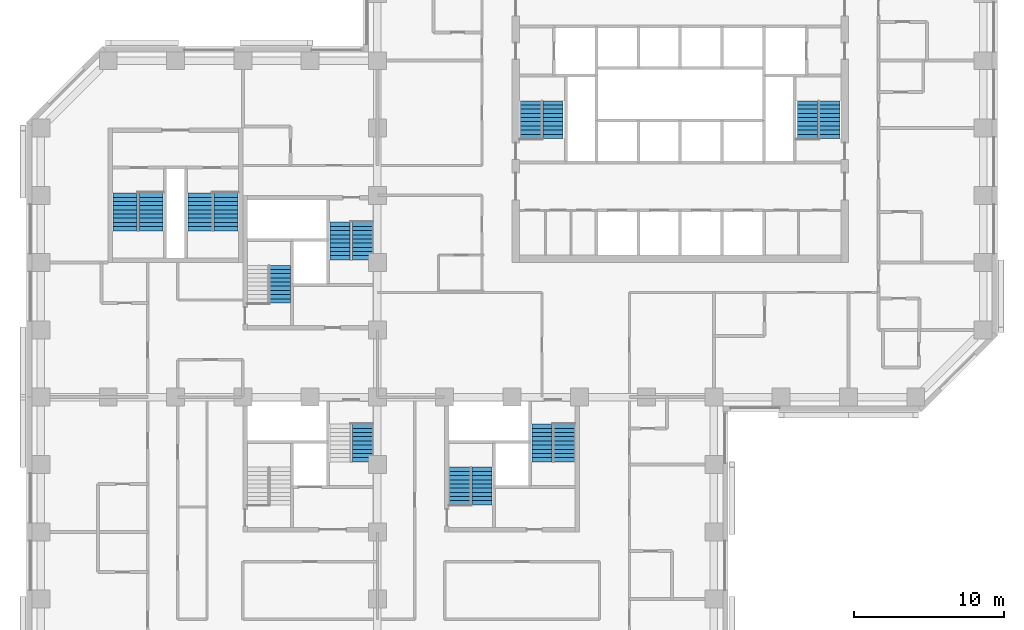
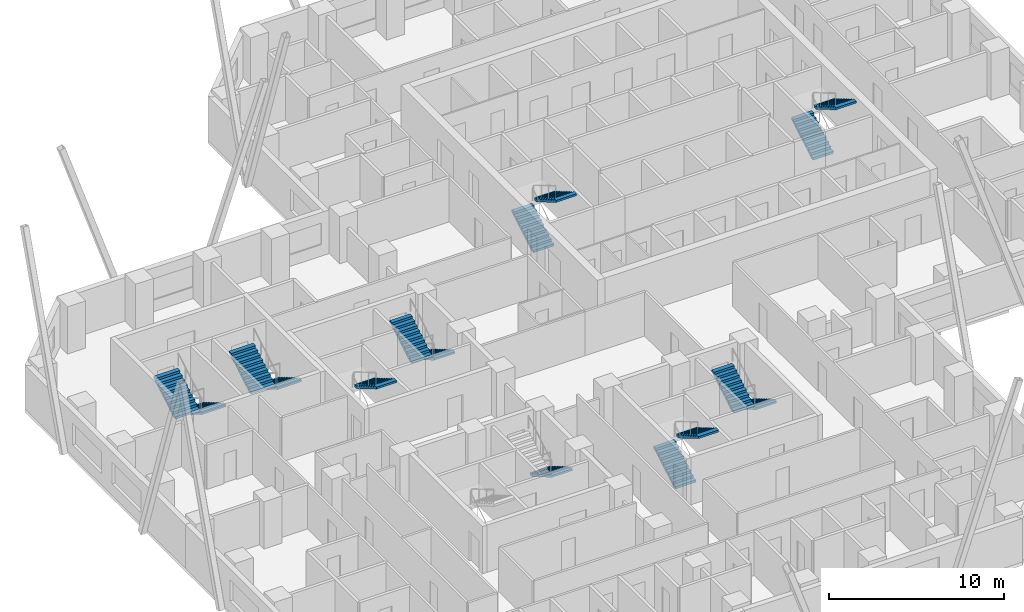
# One storey, part 12 of 13: 16 stair flights, 9 elements without a shape of their own.
"""IFC4 building model written with IfcOpenShell, lengths in metres."""

from ifc_helpers import new_model, si_unit, direction, frame, origin, place, context, subcontext, project, spatial, polyline, outline, extrude, material, type_object, element, aggregate, save


model = new_model("IFC4")

# Units and contexts
model_context = context("Model", 3, precision=1e-05, world=origin(), true_north=direction((0.0, 1.0)))
body_context = subcontext(model_context, "Body", "Model", "MODEL_VIEW")
ifc_project = project(units=[si_unit("LENGTHUNIT", "METRE"), si_unit("AREAUNIT", "SQUARE_METRE"), si_unit("VOLUMEUNIT", "CUBIC_METRE"), si_unit("PLANEANGLEUNIT", "RADIAN"), si_unit("MASSUNIT", "GRAM", prefix="KILO")], contexts=[model_context])

# Site, building, storey
site_placement = place(None, origin())
site = spatial("IfcSite", under=ifc_project, at=site_placement, CompositionType="ELEMENT")
building_placement = place(site_placement, origin())
building = spatial("IfcBuilding", under=site, at=building_placement, Name="Quoin Convention Tower", CompositionType="ELEMENT")
storey_placement = place(building_placement, frame((0.0, 0.0, 52.800048828125)))
storey = spatial("IfcBuildingStorey", under=building, at=storey_placement, Name="L13", CompositionType="ELEMENT", Elevation=52.800048828125)

# Stair, stair flights
ifc_material = material(Name="Concrete C40", Category="concrete")
stair_type_1 = type_object("IfcStairType", Name="Exit stair two-flight 1350", PredefinedType="HALF_TURN_STAIR", material=ifc_material)
stair_1_placement = place(storey_placement, origin())
stair_1 = element("IfcStair", 1, at=stair_1_placement, inside=storey, type_object=stair_type_1, Name="SD1 L13", PredefinedType="HALF_TURN_STAIR")
stair_flight_type_1 = type_object("IfcStairFlightType", Name="Stair flight 1350", PredefinedType="STRAIGHT", material=ifc_material)
stair_flight_1_placement = place(storey_placement, frame((46.25, 57.800048828125, 0.0), z_axis=(0.0, 0.0, 1.0), x_axis=(0.0, 1.0, 0.0)))
stair_flight_1 = element("IfcStairFlight", 2, at=stair_flight_1_placement, type_object=stair_flight_type_1, Name="ST1 flight 1", NumberOfRisers=10, NumberOfTreads=9, PredefinedType="STRAIGHT", RiserHeight=0.165, TreadLength=0.28, context=body_context, shape_type="SweptSolid", body=[
    extrude(outline(polyline([(0.0, 0.0), (0.0, 0.1650390625), (0.280029296875, 0.1650390625), (0.280029296875, 0.330078125), (0.56005859375, 0.330078125), (0.56005859375, 0.4951171875), (0.840087890625, 0.4951171875), (0.840087890625, 0.659912109375), (1.1201171875, 0.659912109375), (1.1201171875, 0.824951171875), (1.39990234375, 0.824951171875), (1.39990234375, 0.989990234375), (1.679931640625, 0.989990234375), (1.679931640625, 1.155029296875), (1.9599609375, 1.155029296875), (1.9599609375, 1.320068359375), (2.239990234375, 1.320068359375), (2.239990234375, 1.485107421875), (2.52001953125, 1.485107421875), (2.52001953125, 1.64990234375), (2.52001953125, 1.345458984375), (0.236572265625, 0.0), (0.0, 0.0)])), frame((0.0, 0.675048828125, 0.0), z_axis=(0.0, -1.0, 0.0), x_axis=(1.0, 0.0, 0.0)), (0.0, 0.0, 1.0), 1.35009765625),
])
stair_flight_2_placement = place(storey_placement, frame((47.75, 60.320068359375, 1.64990234375), z_axis=(0.0, 0.0, 1.0), x_axis=(0.0, -1.0, 0.0)))
stair_flight_2 = element("IfcStairFlight", 3, at=stair_flight_2_placement, type_object=stair_flight_type_1, Name="ST1 flight 2", NumberOfRisers=10, NumberOfTreads=9, PredefinedType="STRAIGHT", RiserHeight=0.165, TreadLength=0.28, context=body_context, shape_type="SweptSolid", body=[
    extrude(outline(polyline([(0.0, 0.0), (0.0, 0.1650390625), (0.280029296875, 0.1650390625), (0.280029296875, 0.330078125), (0.56005859375, 0.330078125), (0.56005859375, 0.4951171875), (0.840087890625, 0.4951171875), (0.840087890625, 0.659912109375), (1.1201171875, 0.659912109375), (1.1201171875, 0.824951171875), (1.39990234375, 0.824951171875), (1.39990234375, 0.989990234375), (1.679931640625, 0.989990234375), (1.679931640625, 1.155029296875), (1.9599609375, 1.155029296875), (1.9599609375, 1.320068359375), (2.239990234375, 1.320068359375), (2.239990234375, 1.485107421875), (2.52001953125, 1.485107421875), (2.52001953125, 1.64990234375), (2.52001953125, 1.345458984375), (0.236572265625, 0.0), (0.0, 0.0)])), frame((0.0, 0.675048828125, 0.0), z_axis=(0.0, -1.0, 0.0), x_axis=(1.0, 0.0, 0.0)), (0.0, 0.0, 1.0), 1.35009765625),
])
aggregate(stair_1, [stair_flight_1, stair_flight_2])

stair_2_placement = place(storey_placement, origin())
stair_2 = element("IfcStair", 4, at=stair_2_placement, inside=storey, type_object=stair_type_1, Name="SD2 L13", PredefinedType="HALF_TURN_STAIR")
stair_flight_3_placement = place(storey_placement, frame((64.75, 57.800048828125, 0.0), z_axis=(0.0, 0.0, 1.0), x_axis=(0.0, 1.0, 0.0)))
stair_flight_3 = element("IfcStairFlight", 5, at=stair_flight_3_placement, type_object=stair_flight_type_1, Name="ST2 flight 1", NumberOfRisers=10, NumberOfTreads=9, PredefinedType="STRAIGHT", RiserHeight=0.165, TreadLength=0.28, context=body_context, shape_type="SweptSolid", body=[
    extrude(outline(polyline([(0.0, 0.0), (0.0, 0.1650390625), (0.280029296875, 0.1650390625), (0.280029296875, 0.330078125), (0.56005859375, 0.330078125), (0.56005859375, 0.4951171875), (0.840087890625, 0.4951171875), (0.840087890625, 0.659912109375), (1.1201171875, 0.659912109375), (1.1201171875, 0.824951171875), (1.39990234375, 0.824951171875), (1.39990234375, 0.989990234375), (1.679931640625, 0.989990234375), (1.679931640625, 1.155029296875), (1.9599609375, 1.155029296875), (1.9599609375, 1.320068359375), (2.239990234375, 1.320068359375), (2.239990234375, 1.485107421875), (2.52001953125, 1.485107421875), (2.52001953125, 1.64990234375), (2.52001953125, 1.345458984375), (0.236572265625, 0.0), (0.0, 0.0)])), frame((0.0, 0.675048828125, 0.0), z_axis=(0.0, -1.0, 0.0), x_axis=(1.0, 0.0, 0.0)), (0.0, 0.0, 1.0), 1.35009765625),
])
stair_flight_4_placement = place(storey_placement, frame((66.25, 60.320068359375, 1.64990234375), z_axis=(0.0, 0.0, 1.0), x_axis=(0.0, -1.0, 0.0)))
stair_flight_4 = element("IfcStairFlight", 6, at=stair_flight_4_placement, type_object=stair_flight_type_1, Name="ST2 flight 2", NumberOfRisers=10, NumberOfTreads=9, PredefinedType="STRAIGHT", RiserHeight=0.165, TreadLength=0.28, context=body_context, shape_type="SweptSolid", body=[
    extrude(outline(polyline([(0.0, 0.0), (0.0, 0.1650390625), (0.280029296875, 0.1650390625), (0.280029296875, 0.330078125), (0.56005859375, 0.330078125), (0.56005859375, 0.4951171875), (0.840087890625, 0.4951171875), (0.840087890625, 0.659912109375), (1.1201171875, 0.659912109375), (1.1201171875, 0.824951171875), (1.39990234375, 0.824951171875), (1.39990234375, 0.989990234375), (1.679931640625, 0.989990234375), (1.679931640625, 1.155029296875), (1.9599609375, 1.155029296875), (1.9599609375, 1.320068359375), (2.239990234375, 1.320068359375), (2.239990234375, 1.485107421875), (2.52001953125, 1.485107421875), (2.52001953125, 1.64990234375), (2.52001953125, 1.345458984375), (0.236572265625, 0.0), (0.0, 0.0)])), frame((0.0, 0.675048828125, 0.0), z_axis=(0.0, -1.0, 0.0), x_axis=(1.0, 0.0, 0.0)), (0.0, 0.0, 1.0), 1.35009765625),
])
aggregate(stair_2, [stair_flight_3, stair_flight_4])

# Stair, stair flight
stair_3_placement = place(storey_placement, origin())
stair_3 = element("IfcStair", 7, at=stair_3_placement, inside=storey, type_object=stair_type_1, Name="SD3 L13", PredefinedType="HALF_TURN_STAIR")
stair_flight_5_placement = place(storey_placement, frame((29.5, 49.320068359375, 1.64990234375), z_axis=(0.0, 0.0, 1.0), x_axis=(0.0, -1.0, 0.0)))
stair_flight_5 = element("IfcStairFlight", 8, at=stair_flight_5_placement, type_object=stair_flight_type_1, Name="ST3 flight 2", NumberOfRisers=10, NumberOfTreads=9, PredefinedType="STRAIGHT", RiserHeight=0.165, TreadLength=0.28, context=body_context, shape_type="SweptSolid", body=[
    extrude(outline(polyline([(0.0, 0.0), (0.0, 0.1650390625), (0.280029296875, 0.1650390625), (0.280029296875, 0.330078125), (0.56005859375, 0.330078125), (0.56005859375, 0.4951171875), (0.840087890625, 0.4951171875), (0.840087890625, 0.659912109375), (1.1201171875, 0.659912109375), (1.1201171875, 0.824951171875), (1.39990234375, 0.824951171875), (1.39990234375, 0.989990234375), (1.679931640625, 0.989990234375), (1.679931640625, 1.155029296875), (1.9599609375, 1.155029296875), (1.9599609375, 1.320068359375), (2.239990234375, 1.320068359375), (2.239990234375, 1.485107421875), (2.52001953125, 1.485107421875), (2.52001953125, 1.64990234375), (2.52001953125, 1.345458984375), (0.236572265625, 0.0), (0.0, 0.0)])), frame((0.0, 0.675048828125, 0.0), z_axis=(0.0, -1.0, 0.0), x_axis=(1.0, 0.0, 0.0)), (0.0, 0.0, 1.0), 1.35009765625),
])
aggregate(stair_3, [stair_flight_5])

# Stair, stair flights
stair_4_placement = place(storey_placement, origin())
stair_4 = element("IfcStair", 9, at=stair_4_placement, inside=storey, type_object=stair_type_1, Name="SD4 L13", PredefinedType="HALF_TURN_STAIR")
stair_flight_6_placement = place(storey_placement, frame((35.0, 52.199951171875, 0.0), z_axis=(0.0, 0.0, 1.0), x_axis=(0.0, -1.0, 0.0)))
stair_flight_6 = element("IfcStairFlight", 10, at=stair_flight_6_placement, type_object=stair_flight_type_1, Name="ST4 flight 1", NumberOfRisers=10, NumberOfTreads=9, PredefinedType="STRAIGHT", RiserHeight=0.165, TreadLength=0.28, context=body_context, shape_type="SweptSolid", body=[
    extrude(outline(polyline([(0.0, 0.0), (0.0, 0.1650390625), (0.280029296875, 0.1650390625), (0.280029296875, 0.330078125), (0.56005859375, 0.330078125), (0.56005859375, 0.4951171875), (0.840087890625, 0.4951171875), (0.840087890625, 0.659912109375), (1.1201171875, 0.659912109375), (1.1201171875, 0.824951171875), (1.39990234375, 0.824951171875), (1.39990234375, 0.989990234375), (1.679931640625, 0.989990234375), (1.679931640625, 1.155029296875), (1.9599609375, 1.155029296875), (1.9599609375, 1.320068359375), (2.239990234375, 1.320068359375), (2.239990234375, 1.485107421875), (2.52001953125, 1.485107421875), (2.52001953125, 1.64990234375), (2.52001953125, 1.345458984375), (0.236572265625, 0.0), (0.0, 0.0)])), frame((0.0, 0.675048828125, 0.0), z_axis=(0.0, -1.0, 0.0), x_axis=(1.0, 0.0, 0.0)), (0.0, 0.0, 1.0), 1.35009765625),
])
stair_flight_7_placement = place(storey_placement, frame((33.5, 49.679931640625, 1.64990234375), z_axis=(0.0, 0.0, 1.0), x_axis=(0.0, 1.0, 0.0)))
stair_flight_7 = element("IfcStairFlight", 11, at=stair_flight_7_placement, type_object=stair_flight_type_1, Name="ST4 flight 2", NumberOfRisers=10, NumberOfTreads=9, PredefinedType="STRAIGHT", RiserHeight=0.165, TreadLength=0.28, context=body_context, shape_type="SweptSolid", body=[
    extrude(outline(polyline([(0.0, 0.0), (0.0, 0.1650390625), (0.280029296875, 0.1650390625), (0.280029296875, 0.330078125), (0.56005859375, 0.330078125), (0.56005859375, 0.4951171875), (0.840087890625, 0.4951171875), (0.840087890625, 0.659912109375), (1.1201171875, 0.659912109375), (1.1201171875, 0.824951171875), (1.39990234375, 0.824951171875), (1.39990234375, 0.989990234375), (1.679931640625, 0.989990234375), (1.679931640625, 1.155029296875), (1.9599609375, 1.155029296875), (1.9599609375, 1.320068359375), (2.239990234375, 1.320068359375), (2.239990234375, 1.485107421875), (2.52001953125, 1.485107421875), (2.52001953125, 1.64990234375), (2.52001953125, 1.345458984375), (0.236572265625, 0.0), (0.0, 0.0)])), frame((0.0, 0.675048828125, 0.0), z_axis=(0.0, -1.0, 0.0), x_axis=(1.0, 0.0, 0.0)), (0.0, 0.0, 1.0), 1.35009765625),
])
aggregate(stair_4, [stair_flight_6, stair_flight_7])

stair_5_placement = place(storey_placement, origin())
stair_5 = element("IfcStair", 12, at=stair_5_placement, inside=storey, type_object=stair_type_1, Name="SD5 L13", PredefinedType="HALF_TURN_STAIR")
stair_flight_8_placement = place(storey_placement, frame((41.5, 33.300048828125, 0.0), z_axis=(0.0, 0.0, 1.0), x_axis=(0.0, 1.0, 0.0)))
stair_flight_8 = element("IfcStairFlight", 13, at=stair_flight_8_placement, type_object=stair_flight_type_1, Name="ST5 flight 1", NumberOfRisers=10, NumberOfTreads=9, PredefinedType="STRAIGHT", RiserHeight=0.165, TreadLength=0.28, context=body_context, shape_type="SweptSolid", body=[
    extrude(outline(polyline([(0.0, 0.0), (0.0, 0.1650390625), (0.280029296875, 0.1650390625), (0.280029296875, 0.330078125), (0.56005859375, 0.330078125), (0.56005859375, 0.4951171875), (0.840087890625, 0.4951171875), (0.840087890625, 0.659912109375), (1.1201171875, 0.659912109375), (1.1201171875, 0.824951171875), (1.39990234375, 0.824951171875), (1.39990234375, 0.989990234375), (1.679931640625, 0.989990234375), (1.679931640625, 1.155029296875), (1.9599609375, 1.155029296875), (1.9599609375, 1.320068359375), (2.239990234375, 1.320068359375), (2.239990234375, 1.485107421875), (2.52001953125, 1.485107421875), (2.52001953125, 1.64990234375), (2.52001953125, 1.345458984375), (0.236572265625, 0.0), (0.0, 0.0)])), frame((0.0, 0.675048828125, 0.0), z_axis=(0.0, -1.0, 0.0), x_axis=(1.0, 0.0, 0.0)), (0.0, 0.0, 1.0), 1.35009765625),
])
stair_flight_9_placement = place(storey_placement, frame((43.0, 35.820068359375, 1.64990234375), z_axis=(0.0, 0.0, 1.0), x_axis=(0.0, -1.0, 0.0)))
stair_flight_9 = element("IfcStairFlight", 14, at=stair_flight_9_placement, type_object=stair_flight_type_1, Name="ST5 flight 2", NumberOfRisers=10, NumberOfTreads=9, PredefinedType="STRAIGHT", RiserHeight=0.165, TreadLength=0.28, context=body_context, shape_type="SweptSolid", body=[
    extrude(outline(polyline([(0.0, 0.0), (0.0, 0.1650390625), (0.280029296875, 0.1650390625), (0.280029296875, 0.330078125), (0.56005859375, 0.330078125), (0.56005859375, 0.4951171875), (0.840087890625, 0.4951171875), (0.840087890625, 0.659912109375), (1.1201171875, 0.659912109375), (1.1201171875, 0.824951171875), (1.39990234375, 0.824951171875), (1.39990234375, 0.989990234375), (1.679931640625, 0.989990234375), (1.679931640625, 1.155029296875), (1.9599609375, 1.155029296875), (1.9599609375, 1.320068359375), (2.239990234375, 1.320068359375), (2.239990234375, 1.485107421875), (2.52001953125, 1.485107421875), (2.52001953125, 1.64990234375), (2.52001953125, 1.345458984375), (0.236572265625, 0.0), (0.0, 0.0)])), frame((0.0, 0.675048828125, 0.0), z_axis=(0.0, -1.0, 0.0), x_axis=(1.0, 0.0, 0.0)), (0.0, 0.0, 1.0), 1.35009765625),
])
aggregate(stair_5, [stair_flight_8, stair_flight_9])

stair_6_placement = place(storey_placement, origin())
stair_6 = element("IfcStair", 15, at=stair_6_placement, inside=storey, type_object=stair_type_1, Name="SD6 L13", PredefinedType="HALF_TURN_STAIR")
stair_flight_10_placement = place(storey_placement, frame((48.5, 38.699951171875, 0.0), z_axis=(0.0, 0.0, 1.0), x_axis=(0.0, -1.0, 0.0)))
stair_flight_10 = element("IfcStairFlight", 16, at=stair_flight_10_placement, type_object=stair_flight_type_1, Name="ST6 flight 1", NumberOfRisers=10, NumberOfTreads=9, PredefinedType="STRAIGHT", RiserHeight=0.165, TreadLength=0.28, context=body_context, shape_type="SweptSolid", body=[
    extrude(outline(polyline([(0.0, 0.0), (0.0, 0.1650390625), (0.280029296875, 0.1650390625), (0.280029296875, 0.330078125), (0.56005859375, 0.330078125), (0.56005859375, 0.4951171875), (0.840087890625, 0.4951171875), (0.840087890625, 0.659912109375), (1.1201171875, 0.659912109375), (1.1201171875, 0.824951171875), (1.39990234375, 0.824951171875), (1.39990234375, 0.989990234375), (1.679931640625, 0.989990234375), (1.679931640625, 1.155029296875), (1.9599609375, 1.155029296875), (1.9599609375, 1.320068359375), (2.239990234375, 1.320068359375), (2.239990234375, 1.485107421875), (2.52001953125, 1.485107421875), (2.52001953125, 1.64990234375), (2.52001953125, 1.345458984375), (0.236572265625, 0.0), (0.0, 0.0)])), frame((0.0, 0.675048828125, 0.0), z_axis=(0.0, -1.0, 0.0), x_axis=(1.0, 0.0, 0.0)), (0.0, 0.0, 1.0), 1.35009765625),
])
stair_flight_11_placement = place(storey_placement, frame((47.0, 36.179931640625, 1.64990234375), z_axis=(0.0, 0.0, 1.0), x_axis=(0.0, 1.0, 0.0)))
stair_flight_11 = element("IfcStairFlight", 17, at=stair_flight_11_placement, type_object=stair_flight_type_1, Name="ST6 flight 2", NumberOfRisers=10, NumberOfTreads=9, PredefinedType="STRAIGHT", RiserHeight=0.165, TreadLength=0.28, context=body_context, shape_type="SweptSolid", body=[
    extrude(outline(polyline([(0.0, 0.0), (0.0, 0.1650390625), (0.280029296875, 0.1650390625), (0.280029296875, 0.330078125), (0.56005859375, 0.330078125), (0.56005859375, 0.4951171875), (0.840087890625, 0.4951171875), (0.840087890625, 0.659912109375), (1.1201171875, 0.659912109375), (1.1201171875, 0.824951171875), (1.39990234375, 0.824951171875), (1.39990234375, 0.989990234375), (1.679931640625, 0.989990234375), (1.679931640625, 1.155029296875), (1.9599609375, 1.155029296875), (1.9599609375, 1.320068359375), (2.239990234375, 1.320068359375), (2.239990234375, 1.485107421875), (2.52001953125, 1.485107421875), (2.52001953125, 1.64990234375), (2.52001953125, 1.345458984375), (0.236572265625, 0.0), (0.0, 0.0)])), frame((0.0, 0.675048828125, 0.0), z_axis=(0.0, -1.0, 0.0), x_axis=(1.0, 0.0, 0.0)), (0.0, 0.0, 1.0), 1.35009765625),
])
aggregate(stair_6, [stair_flight_10, stair_flight_11])

# Stair, stair flight
stair_7_placement = place(storey_placement, origin())
stair_7 = element("IfcStair", 18, at=stair_7_placement, inside=storey, type_object=stair_type_1, Name="SD8 L13", PredefinedType="HALF_TURN_STAIR")
stair_flight_12_placement = place(storey_placement, frame((35.0, 38.699951171875, 0.0), z_axis=(0.0, 0.0, 1.0), x_axis=(0.0, -1.0, 0.0)))
stair_flight_12 = element("IfcStairFlight", 19, at=stair_flight_12_placement, type_object=stair_flight_type_1, Name="ST8 flight 1", NumberOfRisers=10, NumberOfTreads=9, PredefinedType="STRAIGHT", RiserHeight=0.165, TreadLength=0.28, context=body_context, shape_type="SweptSolid", body=[
    extrude(outline(polyline([(0.0, 0.0), (0.0, 0.1650390625), (0.280029296875, 0.1650390625), (0.280029296875, 0.330078125), (0.56005859375, 0.330078125), (0.56005859375, 0.4951171875), (0.840087890625, 0.4951171875), (0.840087890625, 0.659912109375), (1.1201171875, 0.659912109375), (1.1201171875, 0.824951171875), (1.39990234375, 0.824951171875), (1.39990234375, 0.989990234375), (1.679931640625, 0.989990234375), (1.679931640625, 1.155029296875), (1.9599609375, 1.155029296875), (1.9599609375, 1.320068359375), (2.239990234375, 1.320068359375), (2.239990234375, 1.485107421875), (2.52001953125, 1.485107421875), (2.52001953125, 1.64990234375), (2.52001953125, 1.345458984375), (0.236572265625, 0.0), (0.0, 0.0)])), frame((0.0, 0.675048828125, 0.0), z_axis=(0.0, -1.0, 0.0), x_axis=(1.0, 0.0, 0.0)), (0.0, 0.0, 1.0), 1.35009765625),
])
aggregate(stair_7, [stair_flight_12])

# Stair, stair flights
stair_type_2 = type_object("IfcStairType", Name="Exit stair two-flight 1600", PredefinedType="HALF_TURN_STAIR", material=ifc_material)
stair_8_placement = place(storey_placement, origin())
stair_8 = element("IfcStair", 20, at=stair_8_placement, inside=storey, type_object=stair_type_2, Name="SD11 L13", PredefinedType="HALF_TURN_STAIR")
stair_flight_type_2 = type_object("IfcStairFlightType", Name="Stair flight 1600", PredefinedType="STRAIGHT", material=ifc_material)
stair_flight_13_placement = place(storey_placement, frame((20.875, 54.14990234375, 0.0), z_axis=(0.0, 0.0, 1.0), x_axis=(0.0, -1.0, 0.0)))
stair_flight_13 = element("IfcStairFlight", 21, at=stair_flight_13_placement, type_object=stair_flight_type_2, Name="ST11 flight 1", NumberOfRisers=10, NumberOfTreads=9, PredefinedType="STRAIGHT", RiserHeight=0.165, TreadLength=0.28, context=body_context, shape_type="SweptSolid", body=[
    extrude(outline(polyline([(0.0, 0.0), (0.0, 0.1650390625), (0.280029296875, 0.1650390625), (0.280029296875, 0.330078125), (0.56005859375, 0.330078125), (0.56005859375, 0.4951171875), (0.840087890625, 0.4951171875), (0.840087890625, 0.659912109375), (1.1201171875, 0.659912109375), (1.1201171875, 0.824951171875), (1.39990234375, 0.824951171875), (1.39990234375, 0.989990234375), (1.679931640625, 0.989990234375), (1.679931640625, 1.155029296875), (1.9599609375, 1.155029296875), (1.9599609375, 1.320068359375), (2.239990234375, 1.320068359375), (2.239990234375, 1.485107421875), (2.52001953125, 1.485107421875), (2.52001953125, 1.64990234375), (2.52001953125, 1.345458984375), (0.236572265625, 0.0), (0.0, 0.0)])), frame((0.0, 0.800048828125, 0.0), z_axis=(0.0, -1.0, 0.0), x_axis=(1.0, 0.0, 0.0)), (0.0, 0.0, 1.0), 1.60009765625),
])
stair_flight_14_placement = place(storey_placement, frame((19.125, 51.6298828125, 1.64990234375), z_axis=(0.0, 0.0, 1.0), x_axis=(0.0, 1.0, 0.0)))
stair_flight_14 = element("IfcStairFlight", 22, at=stair_flight_14_placement, type_object=stair_flight_type_2, Name="ST11 flight 2", NumberOfRisers=10, NumberOfTreads=9, PredefinedType="STRAIGHT", RiserHeight=0.165, TreadLength=0.28, context=body_context, shape_type="SweptSolid", body=[
    extrude(outline(polyline([(0.0, 0.0), (0.0, 0.1650390625), (0.280029296875, 0.1650390625), (0.280029296875, 0.330078125), (0.56005859375, 0.330078125), (0.56005859375, 0.4951171875), (0.840087890625, 0.4951171875), (0.840087890625, 0.659912109375), (1.1201171875, 0.659912109375), (1.1201171875, 0.824951171875), (1.39990234375, 0.824951171875), (1.39990234375, 0.989990234375), (1.679931640625, 0.989990234375), (1.679931640625, 1.155029296875), (1.9599609375, 1.155029296875), (1.9599609375, 1.320068359375), (2.239990234375, 1.320068359375), (2.239990234375, 1.485107421875), (2.52001953125, 1.485107421875), (2.52001953125, 1.64990234375), (2.52001953125, 1.345458984375), (0.236572265625, 0.0), (0.0, 0.0)])), frame((0.0, 0.800048828125, 0.0), z_axis=(0.0, -1.0, 0.0), x_axis=(1.0, 0.0, 0.0)), (0.0, 0.0, 1.0), 1.60009765625),
])
aggregate(stair_8, [stair_flight_13, stair_flight_14])

stair_9_placement = place(storey_placement, origin())
stair_9 = element("IfcStair", 23, at=stair_9_placement, inside=storey, type_object=stair_type_2, Name="SD12 L13", PredefinedType="HALF_TURN_STAIR")
stair_flight_15_placement = place(storey_placement, frame((25.875, 54.14990234375, 0.0), z_axis=(0.0, 0.0, 1.0), x_axis=(0.0, -1.0, 0.0)))
stair_flight_15 = element("IfcStairFlight", 24, at=stair_flight_15_placement, type_object=stair_flight_type_2, Name="ST12 flight 1", NumberOfRisers=10, NumberOfTreads=9, PredefinedType="STRAIGHT", RiserHeight=0.165, TreadLength=0.28, context=body_context, shape_type="SweptSolid", body=[
    extrude(outline(polyline([(0.0, 0.0), (0.0, 0.1650390625), (0.280029296875, 0.1650390625), (0.280029296875, 0.330078125), (0.56005859375, 0.330078125), (0.56005859375, 0.4951171875), (0.840087890625, 0.4951171875), (0.840087890625, 0.659912109375), (1.1201171875, 0.659912109375), (1.1201171875, 0.824951171875), (1.39990234375, 0.824951171875), (1.39990234375, 0.989990234375), (1.679931640625, 0.989990234375), (1.679931640625, 1.155029296875), (1.9599609375, 1.155029296875), (1.9599609375, 1.320068359375), (2.239990234375, 1.320068359375), (2.239990234375, 1.485107421875), (2.52001953125, 1.485107421875), (2.52001953125, 1.64990234375), (2.52001953125, 1.345458984375), (0.236572265625, 0.0), (0.0, 0.0)])), frame((0.0, 0.800048828125, 0.0), z_axis=(0.0, -1.0, 0.0), x_axis=(1.0, 0.0, 0.0)), (0.0, 0.0, 1.0), 1.60009765625),
])
stair_flight_16_placement = place(storey_placement, frame((24.125, 51.6298828125, 1.64990234375), z_axis=(0.0, 0.0, 1.0), x_axis=(0.0, 1.0, 0.0)))
stair_flight_16 = element("IfcStairFlight", 25, at=stair_flight_16_placement, type_object=stair_flight_type_2, Name="ST12 flight 2", NumberOfRisers=10, NumberOfTreads=9, PredefinedType="STRAIGHT", RiserHeight=0.165, TreadLength=0.28, context=body_context, shape_type="SweptSolid", body=[
    extrude(outline(polyline([(0.0, 0.0), (0.0, 0.1650390625), (0.280029296875, 0.1650390625), (0.280029296875, 0.330078125), (0.56005859375, 0.330078125), (0.56005859375, 0.4951171875), (0.840087890625, 0.4951171875), (0.840087890625, 0.659912109375), (1.1201171875, 0.659912109375), (1.1201171875, 0.824951171875), (1.39990234375, 0.824951171875), (1.39990234375, 0.989990234375), (1.679931640625, 0.989990234375), (1.679931640625, 1.155029296875), (1.9599609375, 1.155029296875), (1.9599609375, 1.320068359375), (2.239990234375, 1.320068359375), (2.239990234375, 1.485107421875), (2.52001953125, 1.485107421875), (2.52001953125, 1.64990234375), (2.52001953125, 1.345458984375), (0.236572265625, 0.0), (0.0, 0.0)])), frame((0.0, 0.800048828125, 0.0), z_axis=(0.0, -1.0, 0.0), x_axis=(1.0, 0.0, 0.0)), (0.0, 0.0, 1.0), 1.60009765625),
])
aggregate(stair_9, [stair_flight_15, stair_flight_16])

save(model, "model.ifc")
